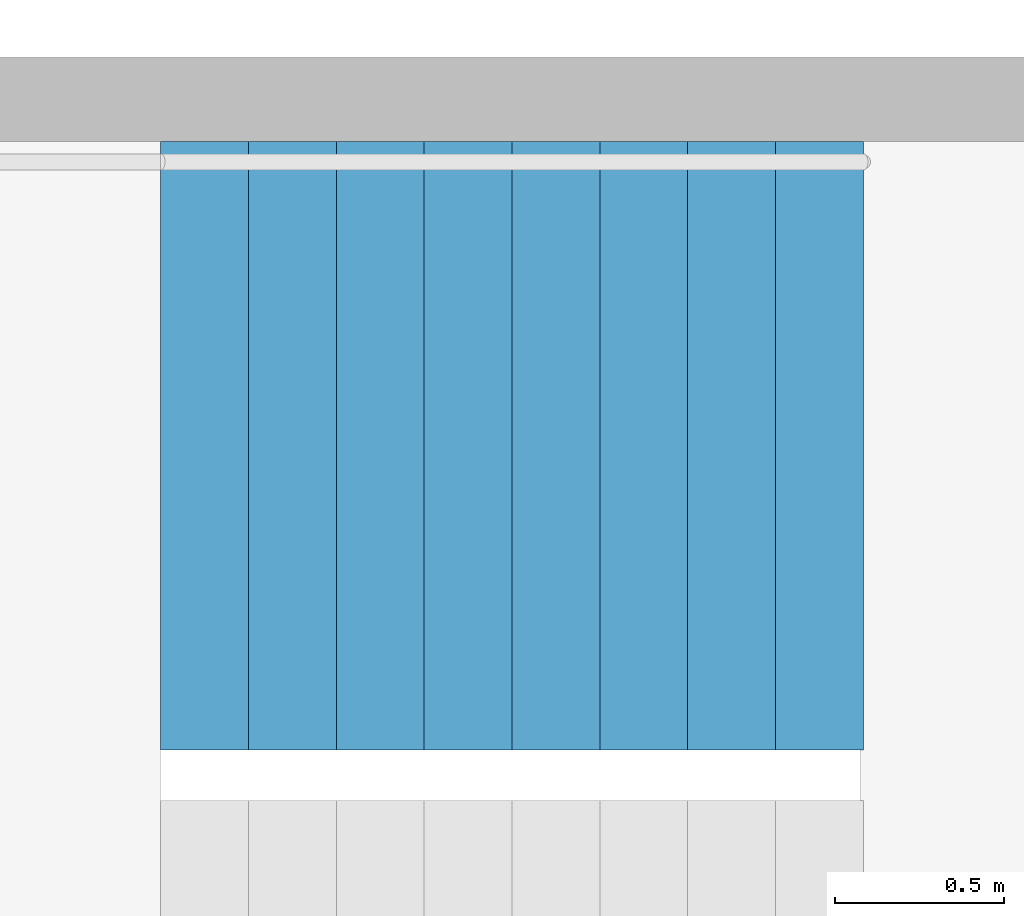
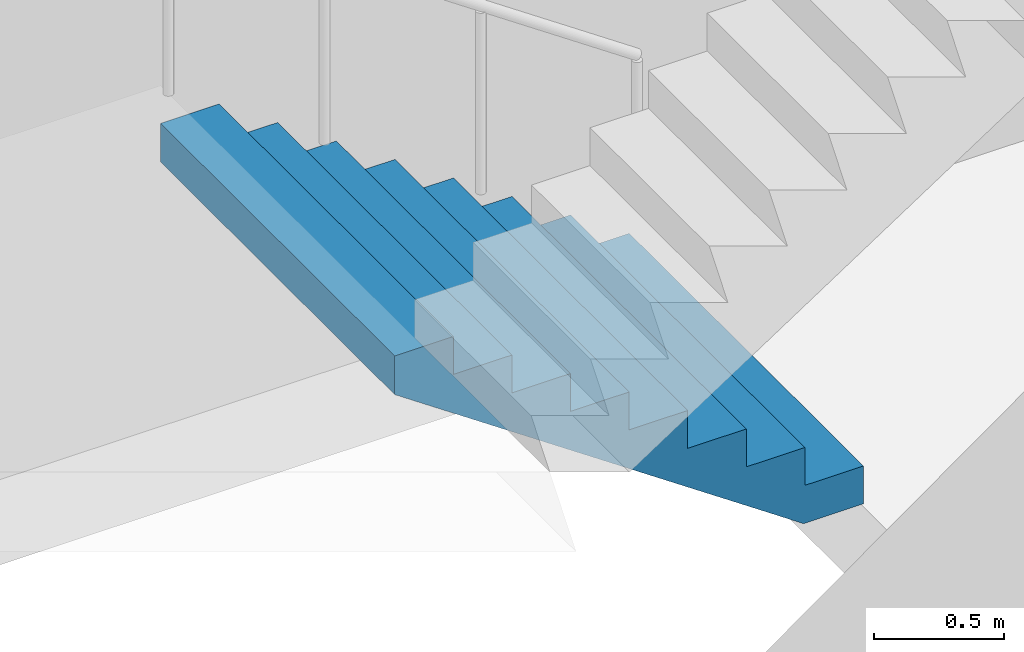
# One storey, part 21 of 28: 1 stair flight, 1 element without a shape of its own.
"""IFC4 building model written with IfcOpenShell, lengths in metres."""

from ifc_helpers import new_model, si_unit, direction, frame, origin, place, context, subcontext, project, spatial, triangles, material, type_object, element, aggregate, save


model = new_model("IFC4")

# Units and contexts
model_context = context("Model", 3, precision=1e-05, world=origin(), true_north=direction((0.0, 1.0)))
body_context = subcontext(model_context, "Body", "Model", "MODEL_VIEW")
ifc_project = project(units=[si_unit("LENGTHUNIT", "METRE"), si_unit("AREAUNIT", "SQUARE_METRE"), si_unit("VOLUMEUNIT", "CUBIC_METRE"), si_unit("PLANEANGLEUNIT", "RADIAN"), si_unit("MASSUNIT", "GRAM", prefix="KILO")], contexts=[model_context])

# Site, building, storey
site_placement = place(None, origin())
site = spatial("IfcSite", under=ifc_project, at=site_placement, CompositionType="ELEMENT")
building_placement = place(site_placement, origin())
building = spatial("IfcBuilding", under=site, at=building_placement, Name="Hakoniwa Tower and Hamabe Station Hall", CompositionType="ELEMENT")
storey_placement = place(building_placement, frame((0.0, 0.0, 32.60009765625)))
storey = spatial("IfcBuildingStorey", under=building, at=storey_placement, Name="L08", CompositionType="ELEMENT", Elevation=32.60009765625)

# Stair, stair flight
ifc_material_1 = material(Name="Concrete C40", Category="concrete")
stair_type = type_object("IfcStairType", Name="ESCAPE STAIR 1800", PredefinedType="HALF_TURN_STAIR", material=ifc_material_1)
stair_placement = place(storey_placement, origin())
stair = element("IfcStair", 1, at=stair_placement, inside=storey, type_object=stair_type, Name="Escape stair ST-2 L08", PredefinedType="HALF_TURN_STAIR")
ifc_material_2 = material(Name="Concrete C40", Category="concrete")
stair_flight_type = type_object("IfcStairFlightType", Name="STAIR FLIGHT 1800", PredefinedType="STRAIGHT", material=ifc_material_2)
stair_flight_placement = place(storey_placement, frame((-23.39990234375, -4.64990234375, 0.0), z_axis=(0.0, 0.0, 1.0), x_axis=(-1.0, 0.0, 0.0)))
stair_flight = element("IfcStairFlight", 2, at=stair_flight_placement, type_object=stair_flight_type, Name="ST-2 flight 1", NumberOfRisers=9, NumberOfTreads=8, PredefinedType="STRAIGHT", RiserHeight=0.177777778, TreadLength=0.26, context=body_context, shape_type="Tessellation", body=[
    triangles([(0.0, 0.89990234375, 0.0), (0.260009765625, 0.89990234375, 0.0), (0.265625, 0.89990234375, 0.0), (0.52001953125, 0.89990234375, 0.174072265625), (0.780029296875, 0.89990234375, 0.351806640625), (1.0400390625, 0.89990234375, 0.529541015625), (1.300048828125, 0.89990234375, 0.707275390625), (1.56005859375, 0.89990234375, 0.885009765625), (1.820068359375, 0.89990234375, 1.062744140625), (2.080078125, 0.89990234375, 1.24072265625), (2.080078125, 0.89990234375, 1.422119140625), (1.820068359375, 0.89990234375, 1.422119140625), (1.820068359375, 0.89990234375, 1.244384765625), (1.56005859375, 0.89990234375, 1.244384765625), (1.56005859375, 0.89990234375, 1.066650390625), (1.300048828125, 0.89990234375, 1.066650390625), (1.300048828125, 0.89990234375, 0.888916015625), (1.0400390625, 0.89990234375, 0.888916015625), (1.0400390625, 0.89990234375, 0.711181640625), (0.780029296875, 0.89990234375, 0.711181640625), (0.780029296875, 0.89990234375, 0.533447265625), (0.52001953125, 0.89990234375, 0.533447265625), (0.52001953125, 0.89990234375, 0.35546875), (0.265625, 0.89990234375, 0.35546875), (0.260009765625, 0.89990234375, 0.35546875), (0.260009765625, 0.89990234375, 0.177734375), (0.0, 0.89990234375, 0.177734375), (0.0, 0.06005859375, 0.0), (0.260009765625, 0.06005859375, 0.0), (0.265625, 0.06005859375, 0.0), (0.52001953125, 0.06005859375, 0.174072265625), (0.780029296875, 0.06005859375, 0.351806640625), (1.0400390625, 0.06005859375, 0.529541015625), (1.300048828125, 0.06005859375, 0.707275390625), (1.56005859375, 0.06005859375, 0.885009765625), (1.820068359375, 0.06005859375, 1.062744140625), (2.080078125, 0.06005859375, 1.24072265625), (2.080078125, 0.06005859375, 1.422119140625), (1.820068359375, 0.06005859375, 1.422119140625), (1.820068359375, 0.06005859375, 1.244384765625), (1.56005859375, 0.06005859375, 1.244384765625), (1.56005859375, 0.06005859375, 1.066650390625), (1.300048828125, 0.06005859375, 1.066650390625), (1.300048828125, 0.06005859375, 0.888916015625), (1.0400390625, 0.06005859375, 0.888916015625), (1.0400390625, 0.06005859375, 0.711181640625), (0.780029296875, 0.06005859375, 0.711181640625), (0.780029296875, 0.06005859375, 0.533447265625), (0.52001953125, 0.06005859375, 0.533447265625), (0.52001953125, 0.06005859375, 0.35546875), (0.265625, 0.06005859375, 0.35546875), (0.260009765625, 0.06005859375, 0.35546875), (0.260009765625, 0.06005859375, 0.177734375), (0.0, 0.06005859375, 0.177734375), (0.0, 0.04296875, 0.0), (0.260009765625, 0.04296875, 0.0), (0.265625, 0.04296875, 0.0), (0.52001953125, 0.04296875, 0.174072265625), (0.780029296875, 0.04296875, 0.351806640625), (1.0400390625, 0.04296875, 0.529541015625), (1.300048828125, 0.04296875, 0.707275390625), (1.56005859375, 0.04296875, 0.885009765625), (1.820068359375, 0.04296875, 1.062744140625), (2.080078125, 0.04296875, 1.24072265625), (2.080078125, 0.04296875, 1.422119140625), (1.820068359375, 0.04296875, 1.422119140625), (1.820068359375, 0.04296875, 1.244384765625), (1.56005859375, 0.04296875, 1.244384765625), (1.56005859375, 0.04296875, 1.066650390625), (1.300048828125, 0.04296875, 1.066650390625), (1.300048828125, 0.04296875, 0.888916015625), (1.0400390625, 0.04296875, 0.888916015625), (1.0400390625, 0.04296875, 0.711181640625), (0.780029296875, 0.04296875, 0.711181640625), (0.780029296875, 0.04296875, 0.533447265625), (0.52001953125, 0.04296875, 0.533447265625), (0.52001953125, 0.04296875, 0.35546875), (0.265625, 0.04296875, 0.35546875), (0.260009765625, 0.04296875, 0.35546875), (0.260009765625, 0.04296875, 0.177734375), (0.0, 0.04296875, 0.177734375), (0.0, 0.025634765625, 0.0), (0.260009765625, 0.025634765625, 0.0), (0.265625, 0.025634765625, 0.0), (0.52001953125, 0.025634765625, 0.174072265625), (0.780029296875, 0.025634765625, 0.351806640625), (1.0400390625, 0.025634765625, 0.529541015625), (1.300048828125, 0.025634765625, 0.707275390625), (1.56005859375, 0.025634765625, 0.885009765625), (1.820068359375, 0.025634765625, 1.062744140625), (2.080078125, 0.025634765625, 1.24072265625), (2.080078125, 0.025634765625, 1.422119140625), (1.820068359375, 0.025634765625, 1.422119140625), (1.820068359375, 0.025634765625, 1.244384765625), (1.56005859375, 0.025634765625, 1.244384765625), (1.56005859375, 0.025634765625, 1.066650390625), (1.300048828125, 0.025634765625, 1.066650390625), (1.300048828125, 0.025634765625, 0.888916015625), (1.0400390625, 0.025634765625, 0.888916015625), (1.0400390625, 0.025634765625, 0.711181640625), (0.780029296875, 0.025634765625, 0.711181640625), (0.780029296875, 0.025634765625, 0.533447265625), (0.52001953125, 0.025634765625, 0.533447265625), (0.52001953125, 0.025634765625, 0.35546875), (0.265625, 0.025634765625, 0.35546875), (0.260009765625, 0.025634765625, 0.35546875), (0.260009765625, 0.025634765625, 0.177734375), (0.0, 0.025634765625, 0.177734375), (0.0, 0.008544921875, 0.0), (0.260009765625, 0.008544921875, 0.0), (0.265625, 0.008544921875, 0.0), (0.52001953125, 0.008544921875, 0.174072265625), (0.780029296875, 0.008544921875, 0.351806640625), (1.0400390625, 0.008544921875, 0.529541015625), (1.300048828125, 0.008544921875, 0.707275390625), (1.56005859375, 0.008544921875, 0.885009765625), (1.820068359375, 0.008544921875, 1.062744140625), (2.080078125, 0.008544921875, 1.24072265625), (2.080078125, 0.008544921875, 1.422119140625), (1.820068359375, 0.008544921875, 1.422119140625), (1.820068359375, 0.008544921875, 1.244384765625), (1.56005859375, 0.008544921875, 1.244384765625), (1.56005859375, 0.008544921875, 1.066650390625), (1.300048828125, 0.008544921875, 1.066650390625), (1.300048828125, 0.008544921875, 0.888916015625), (1.0400390625, 0.008544921875, 0.888916015625), (1.0400390625, 0.008544921875, 0.711181640625), (0.780029296875, 0.008544921875, 0.711181640625), (0.780029296875, 0.008544921875, 0.533447265625), (0.52001953125, 0.008544921875, 0.533447265625), (0.52001953125, 0.008544921875, 0.35546875), (0.265625, 0.008544921875, 0.35546875), (0.260009765625, 0.008544921875, 0.35546875), (0.260009765625, 0.008544921875, 0.177734375), (0.0, 0.008544921875, 0.177734375), (0.0, -0.008544921875, 0.0), (0.260009765625, -0.008544921875, 0.0), (0.265625, -0.008544921875, 0.0), (0.52001953125, -0.008544921875, 0.174072265625), (0.780029296875, -0.008544921875, 0.351806640625), (1.0400390625, -0.008544921875, 0.529541015625), (1.300048828125, -0.008544921875, 0.707275390625), (1.56005859375, -0.008544921875, 0.885009765625), (1.820068359375, -0.008544921875, 1.062744140625), (2.080078125, -0.008544921875, 1.24072265625), (2.080078125, -0.008544921875, 1.422119140625), (1.820068359375, -0.008544921875, 1.422119140625), (1.820068359375, -0.008544921875, 1.244384765625), (1.56005859375, -0.008544921875, 1.244384765625), (1.56005859375, -0.008544921875, 1.066650390625), (1.300048828125, -0.008544921875, 1.066650390625), (1.300048828125, -0.008544921875, 0.888916015625), (1.0400390625, -0.008544921875, 0.888916015625), (1.0400390625, -0.008544921875, 0.711181640625), (0.780029296875, -0.008544921875, 0.711181640625), (0.780029296875, -0.008544921875, 0.533447265625), (0.52001953125, -0.008544921875, 0.533447265625), (0.52001953125, -0.008544921875, 0.35546875), (0.265625, -0.008544921875, 0.35546875), (0.260009765625, -0.008544921875, 0.35546875), (0.260009765625, -0.008544921875, 0.177734375), (0.0, -0.008544921875, 0.177734375), (0.0, -0.025634765625, 0.0), (0.260009765625, -0.025634765625, 0.0), (0.265625, -0.025634765625, 0.0), (0.52001953125, -0.025634765625, 0.174072265625), (0.780029296875, -0.025634765625, 0.351806640625), (1.0400390625, -0.025634765625, 0.529541015625), (1.300048828125, -0.025634765625, 0.707275390625), (1.56005859375, -0.025634765625, 0.885009765625), (1.820068359375, -0.025634765625, 1.062744140625), (2.080078125, -0.025634765625, 1.24072265625), (2.080078125, -0.025634765625, 1.422119140625), (1.820068359375, -0.025634765625, 1.422119140625), (1.820068359375, -0.025634765625, 1.244384765625), (1.56005859375, -0.025634765625, 1.244384765625), (1.56005859375, -0.025634765625, 1.066650390625), (1.300048828125, -0.025634765625, 1.066650390625), (1.300048828125, -0.025634765625, 0.888916015625), (1.0400390625, -0.025634765625, 0.888916015625), (1.0400390625, -0.025634765625, 0.711181640625), (0.780029296875, -0.025634765625, 0.711181640625), (0.780029296875, -0.025634765625, 0.533447265625), (0.52001953125, -0.025634765625, 0.533447265625), (0.52001953125, -0.025634765625, 0.35546875), (0.265625, -0.025634765625, 0.35546875), (0.260009765625, -0.025634765625, 0.35546875), (0.260009765625, -0.025634765625, 0.177734375), (0.0, -0.025634765625, 0.177734375), (0.0, -0.04296875, 0.0), (0.260009765625, -0.04296875, 0.0), (0.265625, -0.04296875, 0.0), (0.52001953125, -0.04296875, 0.174072265625), (0.780029296875, -0.04296875, 0.351806640625), (1.0400390625, -0.04296875, 0.529541015625), (1.300048828125, -0.04296875, 0.707275390625), (1.56005859375, -0.04296875, 0.885009765625), (1.820068359375, -0.04296875, 1.062744140625), (2.080078125, -0.04296875, 1.24072265625), (2.080078125, -0.04296875, 1.422119140625), (1.820068359375, -0.04296875, 1.422119140625), (1.820068359375, -0.04296875, 1.244384765625), (1.56005859375, -0.04296875, 1.244384765625), (1.56005859375, -0.04296875, 1.066650390625), (1.300048828125, -0.04296875, 1.066650390625), (1.300048828125, -0.04296875, 0.888916015625), (1.0400390625, -0.04296875, 0.888916015625), (1.0400390625, -0.04296875, 0.711181640625), (0.780029296875, -0.04296875, 0.711181640625), (0.780029296875, -0.04296875, 0.533447265625), (0.52001953125, -0.04296875, 0.533447265625), (0.52001953125, -0.04296875, 0.35546875), (0.265625, -0.04296875, 0.35546875), (0.260009765625, -0.04296875, 0.35546875), (0.260009765625, -0.04296875, 0.177734375), (0.0, -0.04296875, 0.177734375), (0.0, -0.06005859375, 0.0), (0.260009765625, -0.06005859375, 0.0), (0.265625, -0.06005859375, 0.0), (0.52001953125, -0.06005859375, 0.174072265625), (0.780029296875, -0.06005859375, 0.351806640625), (1.0400390625, -0.06005859375, 0.529541015625), (1.300048828125, -0.06005859375, 0.707275390625), (1.56005859375, -0.06005859375, 0.885009765625), (1.820068359375, -0.06005859375, 1.062744140625), (2.080078125, -0.06005859375, 1.24072265625), (2.080078125, -0.06005859375, 1.422119140625), (1.820068359375, -0.06005859375, 1.422119140625), (1.820068359375, -0.06005859375, 1.244384765625), (1.56005859375, -0.06005859375, 1.244384765625), (1.56005859375, -0.06005859375, 1.066650390625), (1.300048828125, -0.06005859375, 1.066650390625), (1.300048828125, -0.06005859375, 0.888916015625), (1.0400390625, -0.06005859375, 0.888916015625), (1.0400390625, -0.06005859375, 0.711181640625), (0.780029296875, -0.06005859375, 0.711181640625), (0.780029296875, -0.06005859375, 0.533447265625), (0.52001953125, -0.06005859375, 0.533447265625), (0.52001953125, -0.06005859375, 0.35546875), (0.265625, -0.06005859375, 0.35546875), (0.260009765625, -0.06005859375, 0.35546875), (0.260009765625, -0.06005859375, 0.177734375), (0.0, -0.06005859375, 0.177734375), (0.0, -0.89990234375, 0.0), (0.260009765625, -0.89990234375, 0.0), (0.265625, -0.89990234375, 0.0), (0.52001953125, -0.89990234375, 0.174072265625), (0.780029296875, -0.89990234375, 0.351806640625), (1.0400390625, -0.89990234375, 0.529541015625), (1.300048828125, -0.89990234375, 0.707275390625), (1.56005859375, -0.89990234375, 0.885009765625), (1.820068359375, -0.89990234375, 1.062744140625), (2.080078125, -0.89990234375, 1.24072265625), (2.080078125, -0.89990234375, 1.422119140625), (1.820068359375, -0.89990234375, 1.422119140625), (1.820068359375, -0.89990234375, 1.244384765625), (1.56005859375, -0.89990234375, 1.244384765625), (1.56005859375, -0.89990234375, 1.066650390625), (1.300048828125, -0.89990234375, 1.066650390625), (1.300048828125, -0.89990234375, 0.888916015625), (1.0400390625, -0.89990234375, 0.888916015625), (1.0400390625, -0.89990234375, 0.711181640625), (0.780029296875, -0.89990234375, 0.711181640625), (0.780029296875, -0.89990234375, 0.533447265625), (0.52001953125, -0.89990234375, 0.533447265625), (0.52001953125, -0.89990234375, 0.35546875), (0.265625, -0.89990234375, 0.35546875), (0.260009765625, -0.89990234375, 0.35546875), (0.260009765625, -0.89990234375, 0.177734375), (0.0, -0.89990234375, 0.177734375)], [[2, 27, 26], [245, 269, 270], [2, 1, 27], [245, 270, 244], [3, 25, 24], [246, 267, 268], [3, 26, 25], [246, 268, 269], [3, 2, 26], [246, 269, 245], [4, 24, 23], [247, 266, 267], [4, 3, 24], [247, 267, 246], [5, 22, 21], [248, 264, 265], [5, 23, 22], [248, 265, 266], [5, 4, 23], [248, 266, 247], [6, 20, 19], [249, 262, 263], [6, 21, 20], [249, 263, 264], [6, 5, 21], [249, 264, 248], [7, 18, 17], [250, 260, 261], [7, 19, 18], [250, 261, 262], [7, 6, 19], [250, 262, 249], [8, 16, 15], [251, 258, 259], [8, 17, 16], [251, 259, 260], [8, 7, 17], [251, 260, 250], [9, 14, 13], [252, 256, 257], [9, 15, 14], [252, 257, 258], [9, 8, 15], [252, 258, 251], [10, 12, 11], [253, 254, 255], [10, 13, 12], [253, 255, 256], [10, 9, 13], [253, 256, 252], [1, 2, 29], [1, 29, 28], [28, 29, 56], [28, 56, 55], [55, 56, 83], [55, 83, 82], [82, 83, 110], [82, 110, 109], [109, 110, 137], [109, 137, 136], [136, 137, 164], [136, 164, 163], [163, 164, 191], [163, 191, 190], [190, 191, 218], [190, 218, 217], [217, 218, 245], [217, 245, 244], [2, 3, 30], [2, 30, 29], [29, 30, 57], [29, 57, 56], [56, 57, 84], [56, 84, 83], [83, 84, 111], [83, 111, 110], [110, 111, 138], [110, 138, 137], [137, 138, 165], [137, 165, 164], [164, 165, 192], [164, 192, 191], [191, 192, 219], [191, 219, 218], [218, 219, 246], [218, 246, 245], [3, 4, 31], [3, 31, 30], [30, 31, 58], [30, 58, 57], [57, 58, 85], [57, 85, 84], [84, 85, 112], [84, 112, 111], [111, 112, 139], [111, 139, 138], [138, 139, 166], [138, 166, 165], [165, 166, 193], [165, 193, 192], [192, 193, 220], [192, 220, 219], [219, 220, 247], [219, 247, 246], [4, 5, 32], [4, 32, 31], [31, 32, 59], [31, 59, 58], [58, 59, 86], [58, 86, 85], [85, 86, 113], [85, 113, 112], [112, 113, 140], [112, 140, 139], [139, 140, 167], [139, 167, 166], [166, 167, 194], [166, 194, 193], [193, 194, 221], [193, 221, 220], [220, 221, 248], [220, 248, 247], [5, 6, 33], [5, 33, 32], [32, 33, 60], [32, 60, 59], [59, 60, 87], [59, 87, 86], [86, 87, 114], [86, 114, 113], [113, 114, 141], [113, 141, 140], [140, 141, 168], [140, 168, 167], [167, 168, 195], [167, 195, 194], [194, 195, 222], [194, 222, 221], [221, 222, 249], [221, 249, 248], [6, 7, 34], [6, 34, 33], [33, 34, 61], [33, 61, 60], [60, 61, 88], [60, 88, 87], [87, 88, 115], [87, 115, 114], [114, 115, 142], [114, 142, 141], [141, 142, 169], [141, 169, 168], [168, 169, 196], [168, 196, 195], [195, 196, 223], [195, 223, 222], [222, 223, 250], [222, 250, 249], [7, 8, 35], [7, 35, 34], [34, 35, 62], [34, 62, 61], [61, 62, 89], [61, 89, 88], [88, 89, 116], [88, 116, 115], [115, 116, 143], [115, 143, 142], [142, 143, 170], [142, 170, 169], [169, 170, 197], [169, 197, 196], [196, 197, 224], [196, 224, 223], [223, 224, 251], [223, 251, 250], [8, 9, 36], [8, 36, 35], [35, 36, 63], [35, 63, 62], [62, 63, 90], [62, 90, 89], [89, 90, 117], [89, 117, 116], [116, 117, 144], [116, 144, 143], [143, 144, 171], [143, 171, 170], [170, 171, 198], [170, 198, 197], [197, 198, 225], [197, 225, 224], [224, 225, 252], [224, 252, 251], [9, 10, 37], [9, 37, 36], [36, 37, 64], [36, 64, 63], [63, 64, 91], [63, 91, 90], [90, 91, 118], [90, 118, 117], [117, 118, 145], [117, 145, 144], [144, 145, 172], [144, 172, 171], [171, 172, 199], [171, 199, 198], [198, 199, 226], [198, 226, 225], [225, 226, 253], [225, 253, 252], [10, 11, 38], [10, 38, 37], [37, 38, 65], [37, 65, 64], [64, 65, 92], [64, 92, 91], [91, 92, 119], [91, 119, 118], [118, 119, 146], [118, 146, 145], [145, 146, 173], [145, 173, 172], [172, 173, 200], [172, 200, 199], [199, 200, 227], [199, 227, 226], [226, 227, 254], [226, 254, 253], [11, 12, 39], [11, 39, 38], [38, 39, 66], [38, 66, 65], [65, 66, 93], [65, 93, 92], [92, 93, 120], [92, 120, 119], [119, 120, 147], [119, 147, 146], [146, 147, 174], [146, 174, 173], [173, 174, 201], [173, 201, 200], [200, 201, 228], [200, 228, 227], [227, 228, 255], [227, 255, 254], [12, 13, 40], [12, 40, 39], [39, 40, 67], [39, 67, 66], [66, 67, 94], [66, 94, 93], [93, 94, 121], [93, 121, 120], [120, 121, 148], [120, 148, 147], [147, 148, 175], [147, 175, 174], [174, 175, 202], [174, 202, 201], [201, 202, 229], [201, 229, 228], [228, 229, 256], [228, 256, 255], [13, 14, 41], [13, 41, 40], [40, 41, 68], [40, 68, 67], [67, 68, 95], [67, 95, 94], [94, 95, 122], [94, 122, 121], [121, 122, 149], [121, 149, 148], [148, 149, 176], [148, 176, 175], [175, 176, 203], [175, 203, 202], [202, 203, 230], [202, 230, 229], [229, 230, 257], [229, 257, 256], [14, 15, 42], [14, 42, 41], [41, 42, 69], [41, 69, 68], [68, 69, 96], [68, 96, 95], [95, 96, 123], [95, 123, 122], [122, 123, 150], [122, 150, 149], [149, 150, 177], [149, 177, 176], [176, 177, 204], [176, 204, 203], [203, 204, 231], [203, 231, 230], [230, 231, 258], [230, 258, 257], [15, 16, 43], [15, 43, 42], [42, 43, 70], [42, 70, 69], [69, 70, 97], [69, 97, 96], [96, 97, 124], [96, 124, 123], [123, 124, 151], [123, 151, 150], [150, 151, 178], [150, 178, 177], [177, 178, 205], [177, 205, 204], [204, 205, 232], [204, 232, 231], [231, 232, 259], [231, 259, 258], [16, 17, 44], [16, 44, 43], [43, 44, 71], [43, 71, 70], [70, 71, 98], [70, 98, 97], [97, 98, 125], [97, 125, 124], [124, 125, 152], [124, 152, 151], [151, 152, 179], [151, 179, 178], [178, 179, 206], [178, 206, 205], [205, 206, 233], [205, 233, 232], [232, 233, 260], [232, 260, 259], [17, 18, 45], [17, 45, 44], [44, 45, 72], [44, 72, 71], [71, 72, 99], [71, 99, 98], [98, 99, 126], [98, 126, 125], [125, 126, 153], [125, 153, 152], [152, 153, 180], [152, 180, 179], [179, 180, 207], [179, 207, 206], [206, 207, 234], [206, 234, 233], [233, 234, 261], [233, 261, 260], [18, 19, 46], [18, 46, 45], [45, 46, 73], [45, 73, 72], [72, 73, 100], [72, 100, 99], [99, 100, 127], [99, 127, 126], [126, 127, 154], [126, 154, 153], [153, 154, 181], [153, 181, 180], [180, 181, 208], [180, 208, 207], [207, 208, 235], [207, 235, 234], [234, 235, 262], [234, 262, 261], [19, 20, 47], [19, 47, 46], [46, 47, 74], [46, 74, 73], [73, 74, 101], [73, 101, 100], [100, 101, 128], [100, 128, 127], [127, 128, 155], [127, 155, 154], [154, 155, 182], [154, 182, 181], [181, 182, 209], [181, 209, 208], [208, 209, 236], [208, 236, 235], [235, 236, 263], [235, 263, 262], [20, 21, 48], [20, 48, 47], [47, 48, 75], [47, 75, 74], [74, 75, 102], [74, 102, 101], [101, 102, 129], [101, 129, 128], [128, 129, 156], [128, 156, 155], [155, 156, 183], [155, 183, 182], [182, 183, 210], [182, 210, 209], [209, 210, 237], [209, 237, 236], [236, 237, 264], [236, 264, 263], [21, 22, 49], [21, 49, 48], [48, 49, 76], [48, 76, 75], [75, 76, 103], [75, 103, 102], [102, 103, 130], [102, 130, 129], [129, 130, 157], [129, 157, 156], [156, 157, 184], [156, 184, 183], [183, 184, 211], [183, 211, 210], [210, 211, 238], [210, 238, 237], [237, 238, 265], [237, 265, 264], [22, 23, 50], [22, 50, 49], [49, 50, 77], [49, 77, 76], [76, 77, 104], [76, 104, 103], [103, 104, 131], [103, 131, 130], [130, 131, 158], [130, 158, 157], [157, 158, 185], [157, 185, 184], [184, 185, 212], [184, 212, 211], [211, 212, 239], [211, 239, 238], [238, 239, 266], [238, 266, 265], [23, 24, 51], [23, 51, 50], [50, 51, 78], [50, 78, 77], [77, 78, 105], [77, 105, 104], [104, 105, 132], [104, 132, 131], [131, 132, 159], [131, 159, 158], [158, 159, 186], [158, 186, 185], [185, 186, 213], [185, 213, 212], [212, 213, 240], [212, 240, 239], [239, 240, 267], [239, 267, 266], [24, 25, 52], [24, 52, 51], [51, 52, 79], [51, 79, 78], [78, 79, 106], [78, 106, 105], [105, 106, 133], [105, 133, 132], [132, 133, 160], [132, 160, 159], [159, 160, 187], [159, 187, 186], [186, 187, 214], [186, 214, 213], [213, 214, 241], [213, 241, 240], [240, 241, 268], [240, 268, 267], [25, 26, 53], [25, 53, 52], [52, 53, 80], [52, 80, 79], [79, 80, 107], [79, 107, 106], [106, 107, 134], [106, 134, 133], [133, 134, 161], [133, 161, 160], [160, 161, 188], [160, 188, 187], [187, 188, 215], [187, 215, 214], [214, 215, 242], [214, 242, 241], [241, 242, 269], [241, 269, 268], [26, 27, 54], [26, 54, 53], [53, 54, 81], [53, 81, 80], [80, 81, 108], [80, 108, 107], [107, 108, 135], [107, 135, 134], [134, 135, 162], [134, 162, 161], [161, 162, 189], [161, 189, 188], [188, 189, 216], [188, 216, 215], [215, 216, 243], [215, 243, 242], [242, 243, 270], [242, 270, 269], [27, 1, 28], [27, 28, 54], [54, 28, 55], [54, 55, 81], [81, 55, 82], [81, 82, 108], [108, 82, 109], [108, 109, 135], [135, 109, 136], [135, 136, 162], [162, 136, 163], [162, 163, 189], [189, 163, 190], [189, 190, 216], [216, 190, 217], [216, 217, 243], [243, 217, 244], [243, 244, 270]], closed=True),
])
aggregate(stair, [stair_flight])

save(model, "model.ifc")
